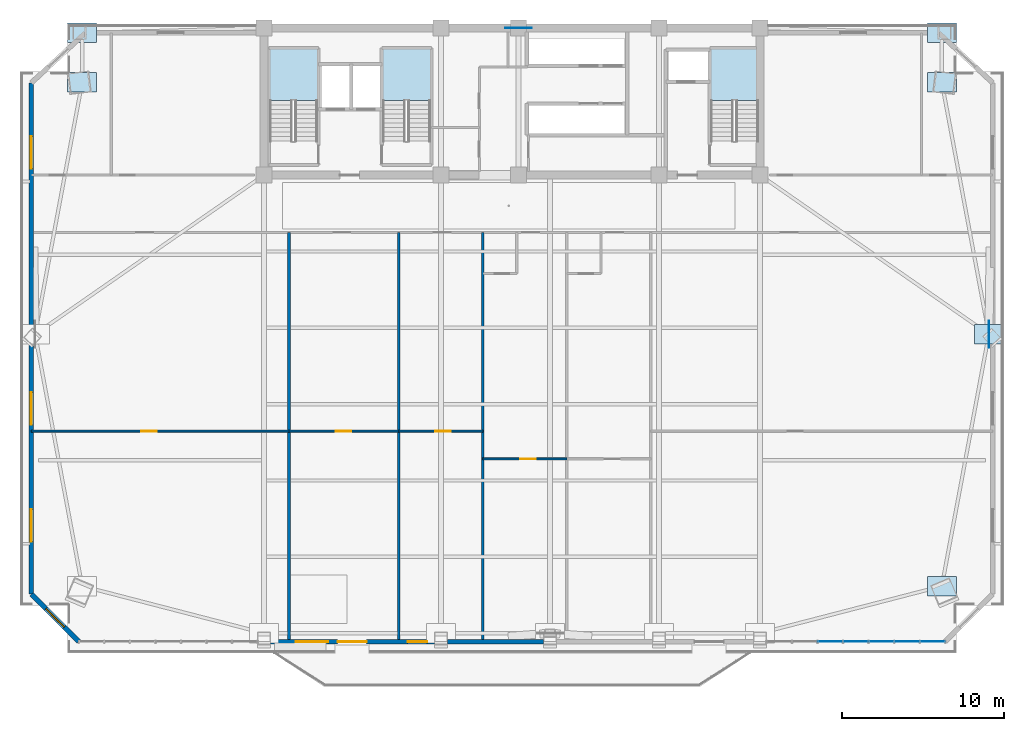
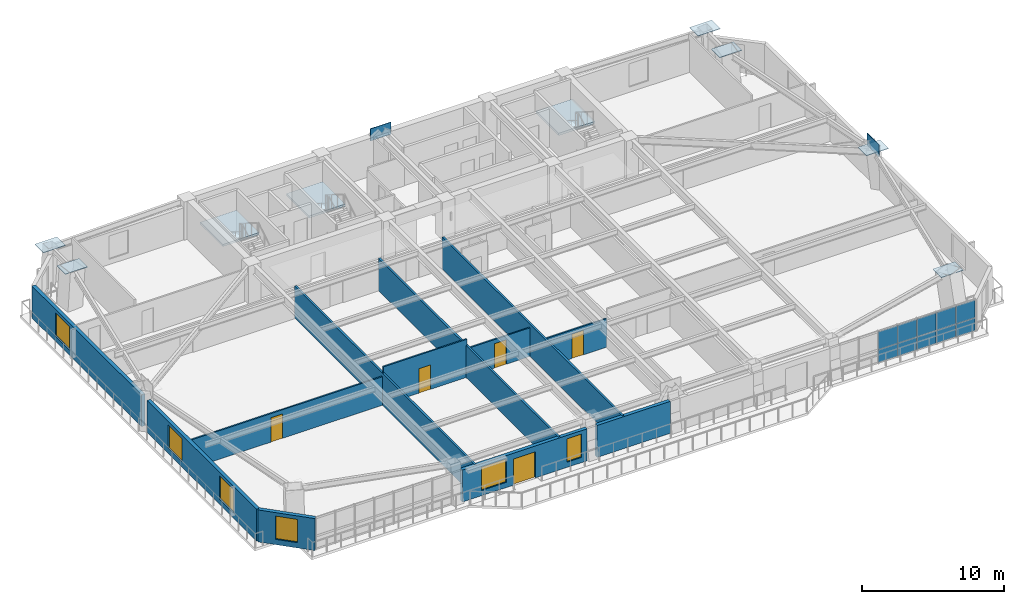
# One storey, part 7 of 15: 18 plates, 12 walls, 6 windows, 5 doors, 3 slabs, 11 openings, 4 elements without a shape of their own.
"""IFC4 building model written with IfcOpenShell, lengths in metres."""

from ifc_helpers import new_model, si_unit, direction, frame, frame_2d, origin, origin_2d, place, context, subcontext, project, spatial, polyline, rectangle, outline, extrude, source, transform, mapped, material, layer, layer_set, type_object, element, fill, aggregate, save


model = new_model("IFC4")

# Units and contexts
model_context = context("Model", 3, precision=1e-05, world=origin(), true_north=direction((0.0, 1.0)))
body_context = subcontext(model_context, "Body", "Model", "MODEL_VIEW")
ifc_project = project(units=[si_unit("LENGTHUNIT", "METRE"), si_unit("AREAUNIT", "SQUARE_METRE"), si_unit("VOLUMEUNIT", "CUBIC_METRE"), si_unit("PLANEANGLEUNIT", "RADIAN"), si_unit("MASSUNIT", "GRAM", prefix="KILO")], contexts=[model_context])

# Site, building, storey
site_placement = place(None, origin())
site = spatial("IfcSite", under=ifc_project, at=site_placement, CompositionType="ELEMENT")
building_placement = place(site_placement, origin())
building = spatial("IfcBuilding", under=site, at=building_placement, Name="Giltprow Tower", CompositionType="ELEMENT")
storey_placement = place(building_placement, frame((0.0, 0.0, 156.199951171875)))
storey = spatial("IfcBuildingStorey", under=building, at=storey_placement, Name="L38", CompositionType="ELEMENT", Elevation=156.199951171875)

# Stair, slab
ifc_material_1 = material(Name="Concrete C40", Category="concrete")
stair_type_1 = type_object("IfcStairType", Name="STR-ST-1", PredefinedType="HALF_TURN_STAIR", material=ifc_material_1)
stair_1_placement = place(storey_placement, origin())
stair_1 = element("IfcStair", 1, at=stair_1_placement, inside=storey, type_object=stair_type_1, Name="L38 Core Exit Stair ST-1", PredefinedType="HALF_TURN_STAIR")
ifc_layer_1 = layer(ifc_material_1, 0.179931640625, Name="Concrete C40")
ifc_layer_set_1 = layer_set([ifc_layer_1], Name="Concrete C40")
slab_type_1 = type_object("IfcSlabType", Name="SLD-ST-1", PredefinedType="LANDING", material=ifc_layer_set_1)
slab_1_placement = place(storey_placement, frame((0.0, 0.0, 1.570068359375)))
slab_1 = element("IfcSlab", 2, at=slab_1_placement, type_object=slab_type_1, Name="ST-1 landing 1", PredefinedType="LANDING", context=body_context, shape_type="SweptSolid", body=[
    extrude(outline(polyline([(23.159912109375, 42.070068359375), (23.159912109375, 45.25), (20.199951171875, 45.25), (20.199951171875, 42.070068359375), (23.159912109375, 42.070068359375)])), origin(), (0.0, 0.0, 1.0), 0.179931640625),
])
aggregate(stair_1, [slab_1])

stair_type_2 = type_object("IfcStairType", Name="STR-ST-2", PredefinedType="HALF_TURN_STAIR", material=ifc_material_1)
stair_2_placement = place(storey_placement, origin())
stair_2 = element("IfcStair", 3, at=stair_2_placement, inside=storey, type_object=stair_type_2, Name="L38 Core Exit Stair ST-2", PredefinedType="HALF_TURN_STAIR")
ifc_layer_2 = layer(ifc_material_1, 0.18798828125, Name="Concrete C40")
ifc_layer_set_2 = layer_set([ifc_layer_2], Name="Concrete C40")
slab_type_2 = type_object("IfcSlabType", Name="SLD-ST-2", PredefinedType="LANDING", material=ifc_layer_set_2)
slab_2_placement = place(storey_placement, frame((0.0, 0.0, 1.56201171875)))
slab_2 = element("IfcSlab", 4, at=slab_2_placement, type_object=slab_type_2, Name="ST-2 landing 1", PredefinedType="LANDING", context=body_context, shape_type="SweptSolid", body=[
    extrude(outline(polyline([(30.159912109375, 42.070068359375), (30.159912109375, 45.25), (27.199951171875, 45.25), (27.199951171875, 42.070068359375), (30.159912109375, 42.070068359375)])), origin(), (0.0, 0.0, 1.0), 0.18798828125),
])
aggregate(stair_2, [slab_2])

stair_type_3 = type_object("IfcStairType", Name="STR-ST-3", PredefinedType="HALF_TURN_STAIR", material=ifc_material_1)
stair_3_placement = place(storey_placement, origin())
stair_3 = element("IfcStair", 5, at=stair_3_placement, inside=storey, type_object=stair_type_3, Name="L38 Core Exit Stair ST-3", PredefinedType="HALF_TURN_STAIR")
ifc_layer_3 = layer(ifc_material_1, 0.196044921875, Name="Concrete C40")
ifc_layer_set_3 = layer_set([ifc_layer_3], Name="Concrete C40")
slab_type_3 = type_object("IfcSlabType", Name="SLD-ST-3", PredefinedType="LANDING", material=ifc_layer_set_3)
slab_3_placement = place(storey_placement, frame((0.0, 0.0, 1.553955078125)))
slab_3 = element("IfcSlab", 6, at=slab_3_placement, type_object=slab_type_3, Name="ST-3 landing 1", PredefinedType="LANDING", context=body_context, shape_type="SweptSolid", body=[
    extrude(outline(polyline([(50.4599609375, 42.070068359375), (50.4599609375, 45.25), (47.5, 45.25), (47.5, 42.070068359375), (50.4599609375, 42.070068359375)])), origin(), (0.0, 0.0, 1.0), 0.196044921875),
])
aggregate(stair_3, [slab_3])

# Plates
ifc_material_2 = material(Name="Structural steel Q420GJC", Category="steel")
plate_type_1 = type_object("IfcPlateType", Name="PLT-NODE-CKN1", PredefinedType="USERDEFINED", material=ifc_material_2)
shared_shape_1 = source(origin(), body_context, "Body", "SweptSolid", [
    extrude(rectangle(XDim=1.800048828125, YDim=1.199951171875, at=origin_2d()), origin(), (0.0, 0.0, 1.0), 0.044921875),
])
for number, where, z_axis, x_axis, name in (
    (7, (61.802978515625, 12.010986328125, 3.2275390625), (0.0, 0.0, 1.0), (1.0, 0.0, 0.0), "CKN1 Column Taper Splice Node L38-MC_SE"),
    (8, (8.596923828125, 43.18701171875, 3.2275390625), (0.0, 0.0, 1.0), (1.0, 0.0, 0.0), "CKN1 Column Taper Splice Node L38-MC_NW"),
    (9, (61.802978515625, 43.18701171875, 3.2275390625), (0.0, 0.0, 1.0), (1.0, 0.0, 0.0), "CKN1 Column Taper Splice Node L38-MC_NE"),
    (10, (64.716064453125, 27.59912109375, 3.2275390625), (0.0, 0.0, 1.0), (1.0, 0.0, 0.0), "CKN1 Column Taper Splice Node L38-E_MID"),
    (11, (8.596923828125, 46.25, 3.2275390625), (0.0, 0.0, 1.0), (1.0, 0.0, 0.0), "CKN1 Column Taper Splice Node L38-N_W"),
    (12, (61.802978515625, 46.25, 3.2275390625), (0.0, 0.0, 1.0), (1.0, 0.0, 0.0), "CKN1 Column Taper Splice Node L38-N_E"),
):
    element("IfcPlate", number, at=place(storey_placement, frame(where, z_axis=z_axis, x_axis=x_axis)), inside=storey, type_object=plate_type_1, Name=name, ObjectType="SPLICE", PredefinedType="USERDEFINED", context=body_context, shape_type="MappedRepresentation", body=[
        mapped(shared_shape_1, transform((0.0, 0.0, 0.0), x_axis=(1.0, 0.0, 0.0), y_axis=(0.0, 1.0, 0.0), z_axis=(0.0, 0.0, 1.0), scale=1.0)),
    ])
plate_type_2 = type_object("IfcPlateType", Name="PLT-NODE-MBN2", PredefinedType="USERDEFINED", material=ifc_material_2)
shared_shape_2 = source(origin(), body_context, "Body", "SweptSolid", [
    extrude(rectangle(XDim=1.64990234375, YDim=0.044921875, at=origin_2d()), origin(), (0.0, 0.0, 1.0), 1.050048828125),
])
for number, where, z_axis, x_axis, name in (
    (13, (35.60009765625, 46.550048828125, 2.8349609375), (0.0, 0.0, 1.0), (1.0, 0.0, 0.0), "Mega-Brace Node L38-N-LB"),
    (14, (64.716064453125, 27.59912109375, 2.97509765625), (0.0, 0.0, 1.0), (0.0, 1.0, 0.0), "Mega-Brace Node L38-E-RB"),
):
    element("IfcPlate", number, at=place(storey_placement, frame(where, z_axis=z_axis, x_axis=x_axis)), inside=storey, type_object=plate_type_2, Name=name, ObjectType="GUSSET", PredefinedType="USERDEFINED", context=body_context, shape_type="MappedRepresentation", body=[
        mapped(shared_shape_2, transform((0.0, 0.0, 0.0), x_axis=(1.0, 0.0, 0.0), y_axis=(0.0, 1.0, 0.0), z_axis=(0.0, 0.0, 1.0), scale=1.0)),
    ])

# Curtain wall, plates
ifc_material_3 = material(Name="Anodized bronze", Category="metal")
ifc_layer_4 = layer(ifc_material_3, 0.179931640625, Name="Anodized bronze")
ifc_layer_set_4 = layer_set([ifc_layer_4], Name="Anodized bronze")
curtain_wall_type = type_object("IfcCurtainWallType", Name="CW-HTL-BRONZE", PredefinedType="NOTDEFINED", material=ifc_layer_set_4)
curtain_wall_placement = place(storey_placement, origin())
curtain_wall = element("IfcCurtainWall", 15, at=curtain_wall_placement, inside=storey, type_object=curtain_wall_type, Name="L38 South Recessed Curtain Wall 6", PredefinedType="NOTDEFINED")
ifc_material_4 = material(Name="Insulated glass", Category="glass")
plate_type_3 = type_object("IfcPlateType", Name="CW-PANEL-IGU-28", PredefinedType="CURTAIN_PANEL", material=ifc_material_4)
shared_shape_3 = source(origin(), body_context, "Body", "SweptSolid", [
    extrude(rectangle(XDim=1.550048828125, YDim=0.028076171875, at=origin_2d()), origin(), (0.0, 0.0, 1.0), 1.0869140625),
])
plate_1_placement = place(storey_placement, frame((54.90087890625, 8.572021484375, 0.0546875), z_axis=(0.0, 0.0, 1.0), x_axis=(1.0, 0.0, 0.0)))
plate_1 = element("IfcPlate", 16, at=plate_1_placement, type_object=plate_type_3, Name="L38 South Recessed Curtain Wall 6 Glazing Panel 3-1", PredefinedType="CURTAIN_PANEL", context=body_context, shape_type="MappedRepresentation", body=[
    mapped(shared_shape_3, transform((0.0, 0.0, 0.0), x_axis=(1.0, 0.0, 0.0), y_axis=(0.0, 1.0, 0.0), z_axis=(0.0, 0.0, 1.0), scale=1.0)),
])
plate_2_placement = place(storey_placement, frame((56.48095703125, 8.572021484375, 0.0546875), z_axis=(0.0, 0.0, 1.0), x_axis=(1.0, 0.0, 0.0)))
plate_2 = element("IfcPlate", 17, at=plate_2_placement, type_object=plate_type_3, Name="L38 South Recessed Curtain Wall 6 Glazing Panel 4-1", PredefinedType="CURTAIN_PANEL", context=body_context, shape_type="MappedRepresentation", body=[
    mapped(shared_shape_3, transform((0.0, 0.0, 0.0), x_axis=(1.0, 0.0, 0.0), y_axis=(0.0, 1.0, 0.0), z_axis=(0.0, 0.0, 1.0), scale=1.0)),
])
plate_3_placement = place(storey_placement, frame((58.06103515625, 8.572021484375, 0.0546875), z_axis=(0.0, 0.0, 1.0), x_axis=(1.0, 0.0, 0.0)))
plate_3 = element("IfcPlate", 18, at=plate_3_placement, type_object=plate_type_3, Name="L38 South Recessed Curtain Wall 6 Glazing Panel 5-1", PredefinedType="CURTAIN_PANEL", context=body_context, shape_type="MappedRepresentation", body=[
    mapped(shared_shape_3, transform((0.0, 0.0, 0.0), x_axis=(1.0, 0.0, 0.0), y_axis=(0.0, 1.0, 0.0), z_axis=(0.0, 0.0, 1.0), scale=1.0)),
])
plate_4_placement = place(storey_placement, frame((59.64208984375, 8.572021484375, 0.0546875), z_axis=(0.0, 0.0, 1.0), x_axis=(1.0, 0.0, 0.0)))
plate_4 = element("IfcPlate", 19, at=plate_4_placement, type_object=plate_type_3, Name="L38 South Recessed Curtain Wall 6 Glazing Panel 6-1", PredefinedType="CURTAIN_PANEL", context=body_context, shape_type="MappedRepresentation", body=[
    mapped(shared_shape_3, transform((0.0, 0.0, 0.0), x_axis=(1.0, 0.0, 0.0), y_axis=(0.0, 1.0, 0.0), z_axis=(0.0, 0.0, 1.0), scale=1.0)),
])
plate_5_placement = place(storey_placement, frame((61.221923828125, 8.572021484375, 0.0546875), z_axis=(0.0, 0.0, 1.0), x_axis=(1.0, 0.0, 0.0)))
plate_5 = element("IfcPlate", 20, at=plate_5_placement, type_object=plate_type_3, Name="L38 South Recessed Curtain Wall 6 Glazing Panel 7-1", PredefinedType="CURTAIN_PANEL", context=body_context, shape_type="MappedRepresentation", body=[
    mapped(shared_shape_3, transform((0.0, 0.0, 0.0), x_axis=(1.0, 0.0, 0.0), y_axis=(0.0, 1.0, 0.0), z_axis=(0.0, 0.0, 1.0), scale=1.0)),
])
shared_shape_4 = source(origin(), body_context, "Body", "SweptSolid", [
    extrude(rectangle(XDim=1.550048828125, YDim=0.028076171875, at=origin_2d()), origin(), (0.0, 0.0, 1.0), 1.527099609375),
])
plate_6_placement = place(storey_placement, frame((54.90087890625, 8.572021484375, 1.16845703125), z_axis=(0.0, 0.0, 1.0), x_axis=(1.0, 0.0, 0.0)))
plate_6 = element("IfcPlate", 21, at=plate_6_placement, type_object=plate_type_3, Name="L38 South Recessed Curtain Wall 6 Glazing Panel 3-2", PredefinedType="CURTAIN_PANEL", context=body_context, shape_type="MappedRepresentation", body=[
    mapped(shared_shape_4, transform((0.0, 0.0, 0.0), x_axis=(1.0, 0.0, 0.0), y_axis=(0.0, 1.0, 0.0), z_axis=(0.0, 0.0, 1.0), scale=1.0)),
])
plate_7_placement = place(storey_placement, frame((56.48095703125, 8.572021484375, 1.16845703125), z_axis=(0.0, 0.0, 1.0), x_axis=(1.0, 0.0, 0.0)))
plate_7 = element("IfcPlate", 22, at=plate_7_placement, type_object=plate_type_3, Name="L38 South Recessed Curtain Wall 6 Glazing Panel 4-2", PredefinedType="CURTAIN_PANEL", context=body_context, shape_type="MappedRepresentation", body=[
    mapped(shared_shape_4, transform((0.0, 0.0, 0.0), x_axis=(1.0, 0.0, 0.0), y_axis=(0.0, 1.0, 0.0), z_axis=(0.0, 0.0, 1.0), scale=1.0)),
])
plate_8_placement = place(storey_placement, frame((58.06103515625, 8.572021484375, 1.16845703125), z_axis=(0.0, 0.0, 1.0), x_axis=(1.0, 0.0, 0.0)))
plate_8 = element("IfcPlate", 23, at=plate_8_placement, type_object=plate_type_3, Name="L38 South Recessed Curtain Wall 6 Glazing Panel 5-2", PredefinedType="CURTAIN_PANEL", context=body_context, shape_type="MappedRepresentation", body=[
    mapped(shared_shape_4, transform((0.0, 0.0, 0.0), x_axis=(1.0, 0.0, 0.0), y_axis=(0.0, 1.0, 0.0), z_axis=(0.0, 0.0, 1.0), scale=1.0)),
])
plate_9_placement = place(storey_placement, frame((59.64208984375, 8.572021484375, 1.16845703125), z_axis=(0.0, 0.0, 1.0), x_axis=(1.0, 0.0, 0.0)))
plate_9 = element("IfcPlate", 24, at=plate_9_placement, type_object=plate_type_3, Name="L38 South Recessed Curtain Wall 6 Glazing Panel 6-2", PredefinedType="CURTAIN_PANEL", context=body_context, shape_type="MappedRepresentation", body=[
    mapped(shared_shape_4, transform((0.0, 0.0, 0.0), x_axis=(1.0, 0.0, 0.0), y_axis=(0.0, 1.0, 0.0), z_axis=(0.0, 0.0, 1.0), scale=1.0)),
])
plate_10_placement = place(storey_placement, frame((61.221923828125, 8.572021484375, 1.16845703125), z_axis=(0.0, 0.0, 1.0), x_axis=(1.0, 0.0, 0.0)))
plate_10 = element("IfcPlate", 25, at=plate_10_placement, type_object=plate_type_3, Name="L38 South Recessed Curtain Wall 6 Glazing Panel 7-2", PredefinedType="CURTAIN_PANEL", context=body_context, shape_type="MappedRepresentation", body=[
    mapped(shared_shape_4, transform((0.0, 0.0, 0.0), x_axis=(1.0, 0.0, 0.0), y_axis=(0.0, 1.0, 0.0), z_axis=(0.0, 0.0, 1.0), scale=1.0)),
])
aggregate(curtain_wall, [plate_1, plate_6, plate_2, plate_7, plate_3, plate_8, plate_4, plate_9, plate_5, plate_10])

# Wall, opening, window
ifc_material_5 = material(Name="Precast concrete C40", Category="concrete")
ifc_layer_5 = layer(ifc_material_5, 0.300048828125, Name="Precast concrete C40")
ifc_layer_set_5 = layer_set([ifc_layer_5], Name="Precast concrete C40")
wall_type_1 = type_object("IfcWallType", Name="EW-NOTCH-CHAMFER-300", PredefinedType="SOLIDWALL", material=ifc_layer_set_5)
wall_1_placement = place(storey_placement, frame((5.448974609375, 11.510986328125, 0.0), z_axis=(0.0, 0.0, 1.0), x_axis=(0.707106781187, -0.707106781187, 0.0)))
wall_1 = element("IfcWall", 26, at=wall_1_placement, inside=storey, type_object=wall_type_1, Name="L38 Corner Notch Wall SW", PredefinedType="SOLIDWALL", context=body_context, shape_type="SweptSolid", body=[
    extrude(rectangle(XDim=4.15625, YDim=0.300048828125, at=frame_2d((2.078125, 0.0))), origin(), (0.0, 0.0, 1.0), 2.75),
])
opening_1_placement = place(wall_1_placement, frame((1.278076171875, 0.0, 0.449951171875)))
opening_1 = element("IfcOpeningElement", 27, at=opening_1_placement, cuts=wall_1, Name="Opening WN17", PredefinedType="OPENING", context=body_context, shape_type="SweptSolid", body=[
    extrude(rectangle(XDim=1.60009765625, YDim=2.0, at=frame_2d((0.800048828125, 1.0))), frame((0.0, 0.159912109375, 0.0), z_axis=(0.0, -1.0, 0.0), x_axis=(1.0, 0.0, 0.0)), (0.0, 0.0, 1.0), 0.320068359375),
])
window_type_1 = type_object("IfcWindowType", Name="WN-COR-1600x2000", PartitioningType="SINGLE_PANEL", PredefinedType="WINDOW", material=ifc_material_4)
shared_shape_5 = source(origin(), body_context, "Body", "SweptSolid", [
    extrude(rectangle(XDim=1.60009765625, YDim=2.0, at=frame_2d((0.800048828125, 1.0))), frame((0.0, 0.030029296875, 0.0), z_axis=(0.0, -1.0, 0.0), x_axis=(1.0, 0.0, 0.0)), (0.0, 0.0, 1.0), 0.06005859375),
])
window_1_placement = place(opening_1_placement, origin())
window_1 = element("IfcWindow", 28, at=window_1_placement, inside=storey, type_object=window_type_1, Name="L38 Corner Notch Window SW", OverallHeight=2.0, OverallWidth=1.60009765625, PartitioningType="SINGLE_PANEL", PredefinedType="WINDOW", context=body_context, shape_type="MappedRepresentation", body=[
    mapped(shared_shape_5, transform((0.0, 0.0, 0.0), x_axis=(1.0, 0.0, 0.0), y_axis=(0.0, 1.0, 0.0), z_axis=(0.0, 0.0, 1.0), scale=1.0)),
])
fill(opening_1, window_1)

# Wall, openings, door, windows
ifc_layer_6 = layer(ifc_material_5, 0.280029296875, Name="Precast concrete C40")
ifc_layer_set_6 = layer_set([ifc_layer_6], Name="Precast concrete C40")
wall_type_2 = type_object("IfcWallType", Name="EW-TOW-BRONZE-280", PredefinedType="SOLIDWALL", material=ifc_layer_set_6)
wall_2_placement = place(storey_placement, frame((20.25, 8.572021484375, 0.0), z_axis=(0.0, 0.0, 1.0), x_axis=(1.0, 0.0, 0.0)))
wall_2 = element("IfcWall", 29, at=wall_2_placement, inside=storey, type_object=wall_type_2, Name="L38 South Expressed Frame Wall 2", PredefinedType="SOLIDWALL", context=body_context, shape_type="SweptSolid", body=[
    extrude(rectangle(XDim=10.14990234375, YDim=0.280029296875, at=frame_2d((5.074951171875, 0.0))), origin(), (0.0, 0.0, 1.0), 2.75),
])
opening_2_placement = place(wall_2_placement, frame((4.14990234375, 0.0, 0.0)))
opening_2 = element("IfcOpeningElement", 30, at=opening_2_placement, cuts=wall_2, Name="Opening ED25", PredefinedType="OPENING", context=body_context, shape_type="SweptSolid", body=[
    extrude(rectangle(XDim=1.800048828125, YDim=2.25, at=frame_2d((0.89990234375, 1.125))), frame((0.0, 0.14990234375, 0.0), z_axis=(0.0, -1.0, 0.0), x_axis=(1.0, 0.0, 0.0)), (0.0, 0.0, 1.0), 0.300048828125),
])
opening_3_placement = place(wall_2_placement, frame((1.570068359375, 0.0, 0.449951171875)))
opening_3 = element("IfcOpeningElement", 31, at=opening_3_placement, cuts=wall_2, Name="Opening WN21", PredefinedType="OPENING", context=body_context, shape_type="SweptSolid", body=[
    extrude(rectangle(XDim=2.0, YDim=2.0, at=frame_2d((1.0, 1.0))), frame((0.0, 0.14990234375, 0.0), z_axis=(0.0, -1.0, 0.0), x_axis=(1.0, 0.0, 0.0)), (0.0, 0.0, 1.0), 0.300048828125),
])
opening_4_placement = place(wall_2_placement, frame((8.4951171875, 0.0, 0.449951171875)))
opening_4 = element("IfcOpeningElement", 32, at=opening_4_placement, cuts=wall_2, Name="Opening WN11", PredefinedType="OPENING", context=body_context, shape_type="SweptSolid", body=[
    extrude(rectangle(XDim=1.199951171875, YDim=2.0, at=frame_2d((0.60009765625, 1.0))), frame((0.0, 0.14990234375, 0.0), z_axis=(0.0, -1.0, 0.0), x_axis=(1.0, 0.0, 0.0)), (0.0, 0.0, 1.0), 0.300048828125),
])
ifc_material_6 = material(Name="Anodized bronze and glass", Category="glass")
door_type_1 = type_object("IfcDoorType", Name="DR-BALC-SLIDE-1800", OperationType="SLIDING_TO_LEFT", PredefinedType="DOOR", material=ifc_material_6)
shared_shape_6 = source(origin(), body_context, "Body", "SweptSolid", [
    extrude(rectangle(XDim=1.800048828125, YDim=2.25, at=frame_2d((0.89990234375, 1.125))), frame((0.0, 0.02490234375, 0.0), z_axis=(0.0, -1.0, 0.0), x_axis=(1.0, 0.0, 0.0)), (0.0, 0.0, 1.0), 0.050048828125),
])
door_1_placement = place(opening_2_placement, origin())
door_1 = element("IfcDoor", 33, at=door_1_placement, inside=storey, type_object=door_type_1, Name="L38 Waterfront Balcony Sliding Door 1", OperationType="SLIDING_TO_LEFT", OverallHeight=2.25, OverallWidth=1.800048828125, PredefinedType="DOOR", context=body_context, shape_type="MappedRepresentation", body=[
    mapped(shared_shape_6, transform((0.0, 0.0, 0.0), x_axis=(1.0, 0.0, 0.0), y_axis=(0.0, 1.0, 0.0), z_axis=(0.0, 0.0, 1.0), scale=1.0)),
])
fill(opening_2, door_1)
window_type_2 = type_object("IfcWindowType", Name="WN-LANCET-1200x2000", PartitioningType="SINGLE_PANEL", PredefinedType="WINDOW", material=ifc_material_4)
shared_shape_7 = source(origin(), body_context, "Body", "SweptSolid", [
    extrude(rectangle(XDim=1.199951171875, YDim=2.0, at=frame_2d((0.60009765625, 1.0))), frame((0.0, 0.030029296875, 0.0), z_axis=(0.0, -1.0, 0.0), x_axis=(1.0, 0.0, 0.0)), (0.0, 0.0, 1.0), 0.06005859375),
])
window_2_placement = place(opening_4_placement, origin())
window_2 = element("IfcWindow", 34, at=window_2_placement, inside=storey, type_object=window_type_2, Name="L38 South Window 2B", OverallHeight=2.0, OverallWidth=1.199951171875, PartitioningType="SINGLE_PANEL", PredefinedType="WINDOW", context=body_context, shape_type="MappedRepresentation", body=[
    mapped(shared_shape_7, transform((0.0, 0.0, 0.0), x_axis=(1.0, 0.0, 0.0), y_axis=(0.0, 1.0, 0.0), z_axis=(0.0, 0.0, 1.0), scale=1.0)),
])
fill(opening_4, window_2)
window_type_3 = type_object("IfcWindowType", Name="WN-HTL-2000x2000", PartitioningType="DOUBLE_PANEL_VERTICAL", PredefinedType="WINDOW", material=ifc_material_4)
shared_shape_8 = source(origin(), body_context, "Body", "SweptSolid", [
    extrude(rectangle(XDim=2.0, YDim=2.0, at=frame_2d((1.0, 1.0))), frame((0.0, 0.030029296875, 0.0), z_axis=(0.0, -1.0, 0.0), x_axis=(1.0, 0.0, 0.0)), (0.0, 0.0, 1.0), 0.06005859375),
])
window_3_placement = place(opening_3_placement, origin())
window_3 = element("IfcWindow", 35, at=window_3_placement, inside=storey, type_object=window_type_3, Name="L38 South Window 2A", OverallHeight=2.0, OverallWidth=2.0, PartitioningType="SINGLE_PANEL", PredefinedType="WINDOW", context=body_context, shape_type="MappedRepresentation", body=[
    mapped(shared_shape_8, transform((0.0, 0.0, 0.0), x_axis=(1.0, 0.0, 0.0), y_axis=(0.0, 1.0, 0.0), z_axis=(0.0, 0.0, 1.0), scale=1.0)),
])
fill(opening_3, window_3)

# Wall
wall_3_placement = place(storey_placement, frame((31.199951171875, 8.572021484375, 0.0), z_axis=(0.0, 0.0, 1.0), x_axis=(1.0, 0.0, 0.0)))
element("IfcWall", 36, at=wall_3_placement, inside=storey, type_object=wall_type_2, Name="L38 South Expressed Frame Wall 3", PredefinedType="SOLIDWALL", context=body_context, shape_type="SweptSolid", body=[
    extrude(rectangle(XDim=5.949951171875, YDim=0.280029296875, at=frame_2d((2.97509765625, 0.0))), origin(), (0.0, 0.0, 1.0), 2.75),
])

# Wall, openings, windows
wall_4_placement = place(storey_placement, frame((5.448974609375, 11.510986328125, 0.0), z_axis=(0.0, 0.0, 1.0), x_axis=(0.0, 1.0, 0.0)))
wall_4 = element("IfcWall", 37, at=wall_4_placement, inside=storey, type_object=wall_type_2, Name="L38 W Wing Masonry Wall 1", PredefinedType="SOLIDWALL", context=body_context, shape_type="SweptSolid", body=[
    extrude(rectangle(XDim=15.425048828125, YDim=0.280029296875, at=frame_2d((7.71240234375, 0.0))), origin(), (0.0, 0.0, 1.0), 2.75),
])
opening_5_placement = place(wall_4_placement, frame((3.2509765625, 0.0, 0.449951171875)))
opening_5 = element("IfcOpeningElement", 38, at=opening_5_placement, cuts=wall_4, Name="Opening WN21", PredefinedType="OPENING", context=body_context, shape_type="SweptSolid", body=[
    extrude(rectangle(XDim=2.0, YDim=2.0, at=frame_2d((1.0, 1.0))), frame((0.0, 0.14990234375, 0.0), z_axis=(0.0, -1.0, 0.0), x_axis=(1.0, 0.0, 0.0)), (0.0, 0.0, 1.0), 0.300048828125),
])
opening_6_placement = place(wall_4_placement, frame((10.488037109375, 0.0, 0.449951171875)))
opening_6 = element("IfcOpeningElement", 39, at=opening_6_placement, cuts=wall_4, Name="Opening WN21", PredefinedType="OPENING", context=body_context, shape_type="SweptSolid", body=[
    extrude(rectangle(XDim=2.0, YDim=2.0, at=frame_2d((1.0, 1.0))), frame((0.0, 0.14990234375, 0.0), z_axis=(0.0, -1.0, 0.0), x_axis=(1.0, 0.0, 0.0)), (0.0, 0.0, 1.0), 0.300048828125),
])
window_4_placement = place(opening_5_placement, origin())
window_4 = element("IfcWindow", 40, at=window_4_placement, inside=storey, type_object=window_type_3, Name="L38 W Wing Window 1-1A", OverallHeight=2.0, OverallWidth=2.0, PartitioningType="SINGLE_PANEL", PredefinedType="WINDOW", context=body_context, shape_type="MappedRepresentation", body=[
    mapped(shared_shape_8, transform((0.0, 0.0, 0.0), x_axis=(1.0, 0.0, 0.0), y_axis=(0.0, 1.0, 0.0), z_axis=(0.0, 0.0, 1.0), scale=1.0)),
])
fill(opening_5, window_4)
window_5_placement = place(opening_6_placement, origin())
window_5 = element("IfcWindow", 41, at=window_5_placement, inside=storey, type_object=window_type_3, Name="L38 W Wing Window 1-1B", OverallHeight=2.0, OverallWidth=2.0, PartitioningType="SINGLE_PANEL", PredefinedType="WINDOW", context=body_context, shape_type="MappedRepresentation", body=[
    mapped(shared_shape_8, transform((0.0, 0.0, 0.0), x_axis=(1.0, 0.0, 0.0), y_axis=(0.0, 1.0, 0.0), z_axis=(0.0, 0.0, 1.0), scale=1.0)),
])
fill(opening_6, window_5)

# Wall, opening, window
wall_5_placement = place(storey_placement, frame((5.448974609375, 27.736083984375, 0.0), z_axis=(0.0, 0.0, 1.0), x_axis=(0.0, 1.0, 0.0)))
wall_5 = element("IfcWall", 42, at=wall_5_placement, inside=storey, type_object=wall_type_2, Name="L38 W Wing Masonry Wall 2", PredefinedType="SOLIDWALL", context=body_context, shape_type="SweptSolid", body=[
    extrude(rectangle(XDim=15.4248046875, YDim=0.280029296875, at=frame_2d((7.71240234375, 0.0))), origin(), (0.0, 0.0, 1.0), 2.75),
])
opening_7_placement = place(wall_5_placement, frame((10.118896484375, 0.0, 0.449951171875)))
opening_7 = element("IfcOpeningElement", 43, at=opening_7_placement, cuts=wall_5, Name="Opening WN21", PredefinedType="OPENING", context=body_context, shape_type="SweptSolid", body=[
    extrude(rectangle(XDim=2.0, YDim=2.0, at=frame_2d((1.0, 1.0))), frame((0.0, 0.14990234375, 0.0), z_axis=(0.0, -1.0, 0.0), x_axis=(1.0, 0.0, 0.0)), (0.0, 0.0, 1.0), 0.300048828125),
])
window_6_placement = place(opening_7_placement, origin())
window_6 = element("IfcWindow", 44, at=window_6_placement, inside=storey, type_object=window_type_3, Name="L38 W Wing Window 2-1", OverallHeight=2.0, OverallWidth=2.0, PartitioningType="SINGLE_PANEL", PredefinedType="WINDOW", context=body_context, shape_type="MappedRepresentation", body=[
    mapped(shared_shape_8, transform((0.0, 0.0, 0.0), x_axis=(1.0, 0.0, 0.0), y_axis=(0.0, 1.0, 0.0), z_axis=(0.0, 0.0, 1.0), scale=1.0)),
])
fill(opening_7, window_6)

# Walls
ifc_material_7 = material(Name="Gypsum stud partition", Category="gypsum")
ifc_layer_7 = layer(ifc_material_7, 0.159912109375, Name="Gypsum stud partition")
ifc_layer_set_7 = layer_set([ifc_layer_7], Name="Gypsum stud partition")
wall_type_3 = type_object("IfcWallType", Name="IW-DEMISE-160", PredefinedType="PARTITIONING", material=ifc_layer_set_7)
for number, where, z_axis, x_axis, name in (
    (45, (21.39990234375, 8.572021484375, 0.0), (0.0, 0.0, 1.0), (0.0, 1.0, 0.0), "L38 Hotel Demising Wall 1"),
    (46, (28.199951171875, 8.572021484375, 0.0), (0.0, 0.0, 1.0), (0.0, 1.0, 0.0), "L38 Hotel Demising Wall 2"),
    (47, (33.39990234375, 8.572021484375, 0.0), (0.0, 0.0, 1.0), (0.0, 1.0, 0.0), "L38 Hotel Demising Wall 3"),
):
    element("IfcWall", number, at=place(storey_placement, frame(where, z_axis=z_axis, x_axis=x_axis)), inside=storey, type_object=wall_type_3, Name=name, PredefinedType="PARTITIONING", context=body_context, shape_type="SweptSolid", body=[
        extrude(rectangle(XDim=25.327880859375, YDim=0.159912109375, at=frame_2d((12.6640625, 0.0))), origin(), (0.0, 0.0, 1.0), 2.755126953125),
    ])

# Wall, opening, door
ifc_layer_8 = layer(ifc_material_7, 0.1201171875, Name="Gypsum stud partition")
ifc_layer_set_8 = layer_set([ifc_layer_8], Name="Gypsum stud partition")
wall_type_4 = type_object("IfcWallType", Name="IW-ROOM-120", PredefinedType="PARTITIONING", material=ifc_layer_set_8)
wall_6_placement = place(storey_placement, frame((5.448974609375, 21.59912109375, 0.0), z_axis=(0.0, 0.0, 1.0), x_axis=(1.0, 0.0, 0.0)))
wall_6 = element("IfcWall", 48, at=wall_6_placement, inside=storey, type_object=wall_type_4, Name="L38 Amenity Mid Wall 1", PredefinedType="PARTITIONING", context=body_context, shape_type="SweptSolid", body=[
    extrude(rectangle(XDim=15.950927734375, YDim=0.1201171875, at=frame_2d((7.9755859375, 0.0))), origin(), (0.0, 0.0, 1.0), 2.455078125),
])
opening_8_placement = place(wall_6_placement, frame((6.806884765625, 0.0, 0.0)))
opening_8 = element("IfcOpeningElement", 49, at=opening_8_placement, cuts=wall_6, Name="Opening ID11", PredefinedType="OPENING", context=body_context, shape_type="SweptSolid", body=[
    extrude(rectangle(XDim=0.949951171875, YDim=2.10009765625, at=frame_2d((0.47509765625, 1.050048828125))), frame((0.0, 0.070068359375, 0.0), z_axis=(0.0, -1.0, 0.0), x_axis=(1.0, 0.0, 0.0)), (0.0, 0.0, 1.0), 0.14013671875),
])
ifc_material_8 = material(Name="Engineered timber", Category="wood")
door_type_2 = type_object("IfcDoorType", Name="DR-ROOM-950", OperationType="SINGLE_SWING_RIGHT", PredefinedType="DOOR", material=ifc_material_8)
shared_shape_9 = source(origin(), body_context, "Body", "SweptSolid", [
    extrude(rectangle(XDim=0.949951171875, YDim=2.10009765625, at=frame_2d((0.47509765625, 1.050048828125))), frame((0.0, 0.02490234375, 0.0), z_axis=(0.0, -1.0, 0.0), x_axis=(1.0, 0.0, 0.0)), (0.0, 0.0, 1.0), 0.050048828125),
])
door_2_placement = place(opening_8_placement, origin())
door_2 = element("IfcDoor", 50, at=door_2_placement, inside=storey, type_object=door_type_2, Name="L38 Hotel Management Office 1 Inner Door", OperationType="SINGLE_SWING_LEFT", OverallHeight=2.10009765625, OverallWidth=0.949951171875, PredefinedType="DOOR", context=body_context, shape_type="MappedRepresentation", body=[
    mapped(shared_shape_9, transform((0.0, 0.0, 0.0), x_axis=(1.0, 0.0, 0.0), y_axis=(0.0, 1.0, 0.0), z_axis=(0.0, 0.0, 1.0), scale=1.0)),
])
fill(opening_8, door_2)

wall_7_placement = place(storey_placement, frame((21.39990234375, 21.59912109375, 0.0), z_axis=(0.0, 0.0, 1.0), x_axis=(1.0, 0.0, 0.0)))
wall_7 = element("IfcWall", 51, at=wall_7_placement, inside=storey, type_object=wall_type_4, Name="L38 Amenity Mid Wall 2", PredefinedType="PARTITIONING", context=body_context, shape_type="SweptSolid", body=[
    extrude(rectangle(XDim=6.800048828125, YDim=0.1201171875, at=frame_2d((3.39990234375, 0.0))), origin(), (0.0, 0.0, 1.0), 3.27001953125),
])
opening_9_placement = place(wall_7_placement, frame((2.885986328125, 0.0, 0.0)))
opening_9 = element("IfcOpeningElement", 52, at=opening_9_placement, cuts=wall_7, Name="Opening ID11", PredefinedType="OPENING", context=body_context, shape_type="SweptSolid", body=[
    extrude(rectangle(XDim=0.949951171875, YDim=2.10009765625, at=frame_2d((0.47509765625, 1.050048828125))), frame((0.0, 0.070068359375, 0.0), z_axis=(0.0, -1.0, 0.0), x_axis=(1.0, 0.0, 0.0)), (0.0, 0.0, 1.0), 0.14013671875),
])
door_3_placement = place(opening_9_placement, origin())
door_3 = element("IfcDoor", 53, at=door_3_placement, inside=storey, type_object=door_type_2, Name="L38 Events Sales Office 2 Inner Door", OperationType="SINGLE_SWING_LEFT", OverallHeight=2.10009765625, OverallWidth=0.949951171875, PredefinedType="DOOR", context=body_context, shape_type="MappedRepresentation", body=[
    mapped(shared_shape_9, transform((0.0, 0.0, 0.0), x_axis=(1.0, 0.0, 0.0), y_axis=(0.0, 1.0, 0.0), z_axis=(0.0, 0.0, 1.0), scale=1.0)),
])
fill(opening_9, door_3)

wall_8_placement = place(storey_placement, frame((28.199951171875, 21.59912109375, 0.0), z_axis=(0.0, 0.0, 1.0), x_axis=(1.0, 0.0, 0.0)))
wall_8 = element("IfcWall", 54, at=wall_8_placement, inside=storey, type_object=wall_type_4, Name="L38 Amenity Mid Wall 3", PredefinedType="PARTITIONING", context=body_context, shape_type="SweptSolid", body=[
    extrude(rectangle(XDim=5.199951171875, YDim=0.1201171875, at=frame_2d((2.60009765625, 0.0))), origin(), (0.0, 0.0, 1.0), 2.455078125),
])
opening_10_placement = place(wall_8_placement, frame((2.24609375, 0.0, 0.0)))
opening_10 = element("IfcOpeningElement", 55, at=opening_10_placement, cuts=wall_8, Name="Opening ID11", PredefinedType="OPENING", context=body_context, shape_type="SweptSolid", body=[
    extrude(rectangle(XDim=0.949951171875, YDim=2.10009765625, at=frame_2d((0.47509765625, 1.050048828125))), frame((0.0, 0.070068359375, 0.0), z_axis=(0.0, -1.0, 0.0), x_axis=(1.0, 0.0, 0.0)), (0.0, 0.0, 1.0), 0.14013671875),
])
door_4_placement = place(opening_10_placement, origin())
door_4 = element("IfcDoor", 56, at=door_4_placement, inside=storey, type_object=door_type_2, Name="L38 Concierge Admin Office 3 Inner Door", OperationType="SINGLE_SWING_LEFT", OverallHeight=2.10009765625, OverallWidth=0.949951171875, PredefinedType="DOOR", context=body_context, shape_type="MappedRepresentation", body=[
    mapped(shared_shape_9, transform((0.0, 0.0, 0.0), x_axis=(1.0, 0.0, 0.0), y_axis=(0.0, 1.0, 0.0), z_axis=(0.0, 0.0, 1.0), scale=1.0)),
])
fill(opening_10, door_4)

wall_9_placement = place(storey_placement, frame((33.39990234375, 19.883056640625, 0.0), z_axis=(0.0, 0.0, 1.0), x_axis=(1.0, 0.0, 0.0)))
wall_9 = element("IfcWall", 57, at=wall_9_placement, inside=storey, type_object=wall_type_4, Name="L38 Suite Parlour Divider 4", PredefinedType="PARTITIONING", context=body_context, shape_type="SweptSolid", body=[
    extrude(rectangle(XDim=5.2001953125, YDim=0.1201171875, at=frame_2d((2.60009765625, 0.0))), origin(), (0.0, 0.0, 1.0), 2.455078125),
])
opening_11_placement = place(wall_9_placement, frame((2.324951171875, 0.0, 0.0)))
opening_11 = element("IfcOpeningElement", 58, at=opening_11_placement, cuts=wall_9, Name="Opening ID11", PredefinedType="OPENING", context=body_context, shape_type="SweptSolid", body=[
    extrude(rectangle(XDim=0.949951171875, YDim=2.10009765625, at=frame_2d((0.47509765625, 1.050048828125))), frame((0.0, 0.070068359375, 0.0), z_axis=(0.0, -1.0, 0.0), x_axis=(1.0, 0.0, 0.0)), (0.0, 0.0, 1.0), 0.14013671875),
])
door_5_placement = place(opening_11_placement, origin())
door_5 = element("IfcDoor", 59, at=door_5_placement, inside=storey, type_object=door_type_2, Name="L38 Harbour Parlour 4 Door", OperationType="SINGLE_SWING_RIGHT", OverallHeight=2.10009765625, OverallWidth=0.949951171875, PredefinedType="DOOR", context=body_context, shape_type="MappedRepresentation", body=[
    mapped(shared_shape_9, transform((0.0, 0.0, 0.0), x_axis=(1.0, 0.0, 0.0), y_axis=(0.0, 1.0, 0.0), z_axis=(0.0, 0.0, 1.0), scale=1.0)),
])
fill(opening_11, door_5)

save(model, "model.ifc")
